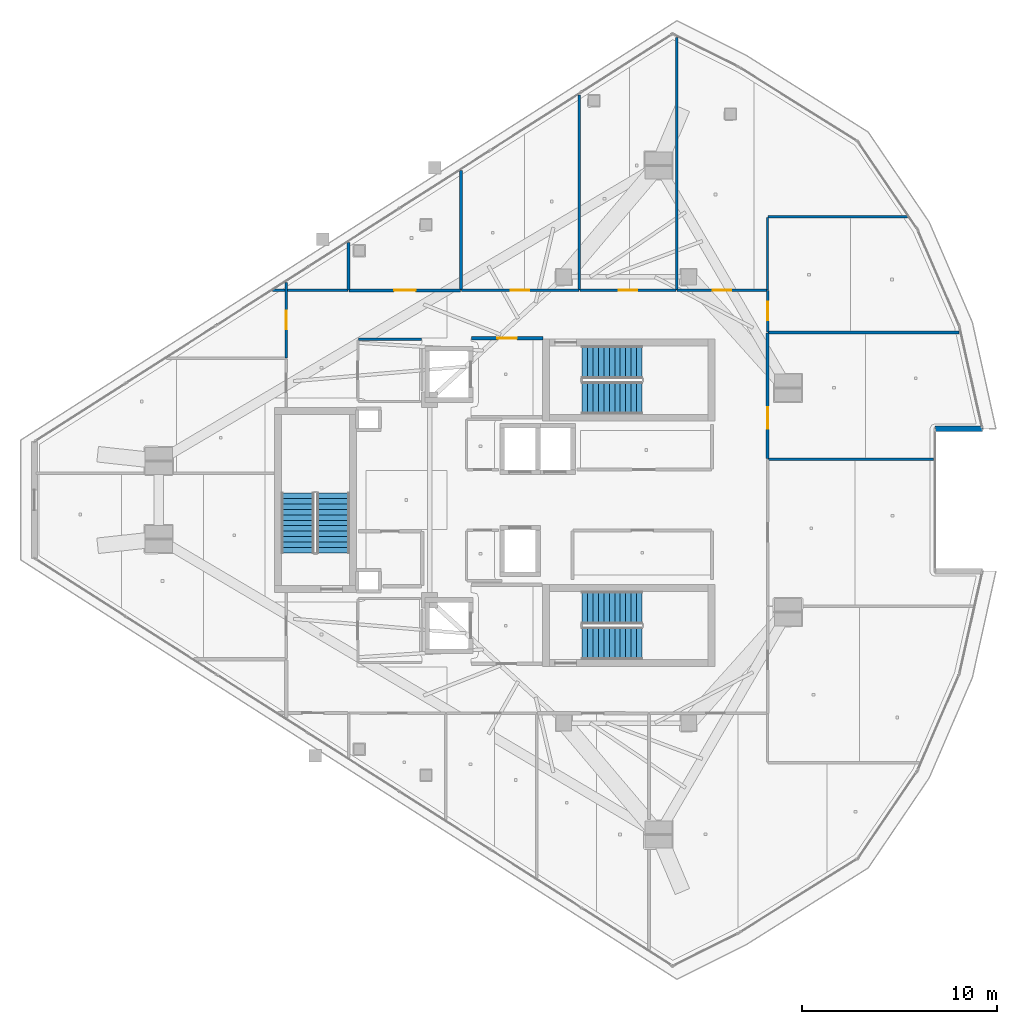
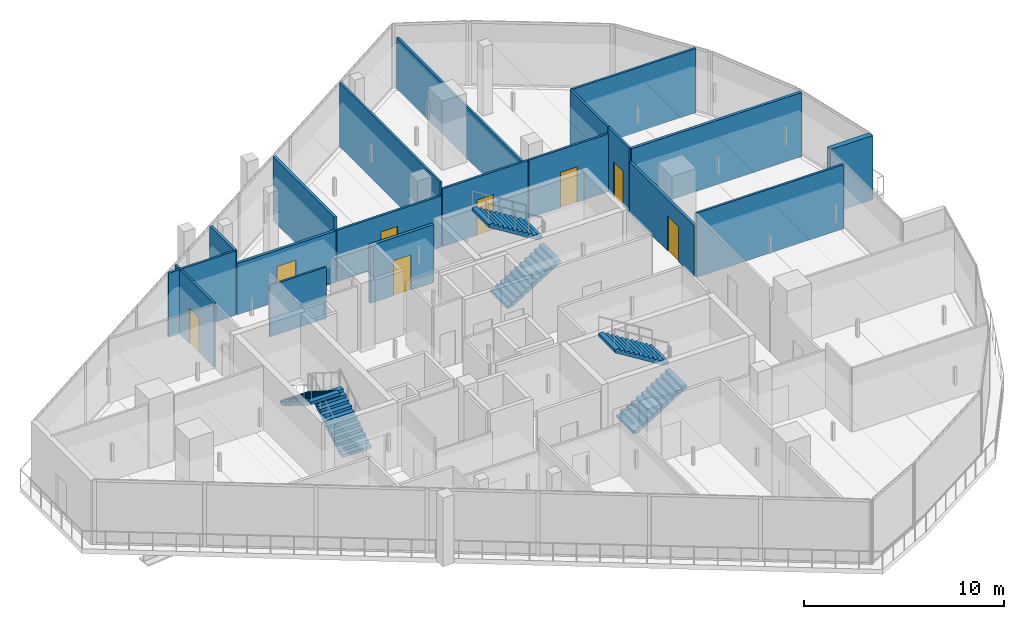
# One storey, part 22 of 29: 19 walls, 8 doors, 6 stair flights, 8 openings, 3 elements without a shape of their own.
"""IFC4 building model written with IfcOpenShell, lengths in metres."""

import ifcopenshell
import ifcopenshell.guid

model = None  # the IFC model being written
_history = None  # IfcOwnerHistory: only IFC2X3 demands one
_inside = {}  # id of a spatial element -> (the spatial element, [elements in it])
_under = {}  # id of a project, library or spatial element -> (it, [spatial elements below it])
_declared = {}  # id of a project -> (the project, [libraries it declares])
_typed = {}  # id of a type object -> (the type object, [elements of that type])
_made_of = {}  # id of a material, layer set ... -> (it, [elements and type objects made of it])


def new_model(schema):
    """Start an empty IFC model of exactly this schema.

    Asked for "IFC4X3", IfcOpenShell would pick the latest addendum, in which some entities
    have other attributes; the version numbers below select the first issue.
    IFC2X3 requires an IfcOwnerHistory on every rooted entity: one is made here for all.
    """
    global model, _history
    if schema == "IFC4X3":
        model = ifcopenshell.file(schema_version=(4, 3, 0, 0))
    else:
        model = ifcopenshell.file(schema=schema)
    _inside.clear()
    _under.clear()
    _declared.clear()
    _typed.clear()
    _made_of.clear()
    _history = None
    if model.schema == "IFC2X3":
        org = make("IfcOrganization", Name="unknown")
        user = make(
            "IfcPersonAndOrganization",
            ThePerson=make("IfcPerson", FamilyName="unknown"),
            TheOrganization=org,
        )
        app = make(
            "IfcApplication",
            ApplicationDeveloper=org,
            Version="unknown",
            ApplicationFullName="unknown",
            ApplicationIdentifier="unknown",
        )
        _history = make(
            "IfcOwnerHistory",
            OwningUser=user,
            OwningApplication=app,
            ChangeAction="ADDED",
            CreationDate=0,
        )
    return model


def make(cls, **values):
    """One entity of the class cls with the attributes given. An attribute that is None is left unset."""
    return model.create_entity(
        cls, **{name: value for name, value in values.items() if value is not None}
    )


def rooted(cls, **values):
    """An entity with a GlobalId (a new one), such as an element, a storey or a relation."""
    return make(cls, GlobalId=ifcopenshell.guid.new(), OwnerHistory=_history, **values)


def si_unit(unit_type, name, prefix=None):
    """IfcSIUnit, for example si_unit("LENGTHUNIT", "METRE", prefix="MILLI")."""
    return make("IfcSIUnit", UnitType=unit_type, Prefix=prefix, Name=name)


def assignment(units):
    """IfcUnitAssignment: the units of a project."""
    return None if units is None else make("IfcUnitAssignment", Units=units)


def point(xyz):
    """IfcCartesianPoint."""
    return None if xyz is None else make("IfcCartesianPoint", Coordinates=xyz)


def direction(xyz):
    """IfcDirection."""
    return None if xyz is None else make("IfcDirection", DirectionRatios=xyz)


def frame(location, z_axis=None, x_axis=None):
    """IfcAxis2Placement3D, a coordinate frame: its origin and axes. An axis left out is left unset."""
    return make(
        "IfcAxis2Placement3D",
        Location=point(location),
        Axis=direction(z_axis),
        RefDirection=direction(x_axis),
    )


def frame_2d(location, x_axis=None):
    """IfcAxis2Placement2D, a coordinate frame in the plane: its origin and x axis."""
    return make(
        "IfcAxis2Placement2D", Location=point(location), RefDirection=direction(x_axis)
    )


def origin():
    """The frame at (0, 0, 0) with its axes left unset."""
    return frame((0.0, 0.0, 0.0))


def place(relative_to, where):
    """IfcLocalPlacement: puts the frame where relative to a parent placement (None: the world)."""
    return make(
        "IfcLocalPlacement", PlacementRelTo=relative_to, RelativePlacement=where
    )


def context(
    kind, dimensions, precision=None, world=None, true_north=None, identifier=None
):
    """IfcGeometricRepresentationContext, for example the 3D "Model" context."""
    return make(
        "IfcGeometricRepresentationContext",
        ContextIdentifier=identifier,
        ContextType=kind,
        CoordinateSpaceDimension=dimensions,
        Precision=precision,
        WorldCoordinateSystem=world,
        TrueNorth=true_north,
    )


def subcontext(parent, identifier, kind, view, scale=None):
    """IfcGeometricRepresentationSubContext, for example "Body" below "Model"."""
    return make(
        "IfcGeometricRepresentationSubContext",
        ContextIdentifier=identifier,
        ContextType=kind,
        ParentContext=parent,
        TargetScale=scale,
        TargetView=view,
    )


def project(units=None, contexts=None):
    """IfcProject with its units and contexts."""
    return rooted(
        "IfcProject",
        Name="project",
        RepresentationContexts=contexts,
        UnitsInContext=assignment(units),
    )


def spatial(cls, under=None, at=None, **own):
    """A site, building, storey or space (cls), placed at a placement, below another one or the project."""
    s = rooted(cls, ObjectPlacement=at, **own)
    if under is not None:
        _under.setdefault(under.id(), (under, []))[1].append(s)
    return s


def polyline(points):
    """IfcPolyline through the points."""
    return make("IfcPolyline", Points=[point(p) for p in points])


def profile(cls, at=None, kind="AREA", **sizes):
    """A parametric profile (cls). Its sizes go by their IFC names, for example OverallWidth=200.0."""
    return make(cls, ProfileType=kind, Position=at, **sizes)


def rectangle(**sizes):
    """IfcRectangleProfileDef."""
    return profile("IfcRectangleProfileDef", **sizes)


def outline(outer, holes=None, kind="AREA"):
    """IfcArbitraryClosedProfileDef: a profile drawn as a closed curve; with holes, ...WithVoids."""
    if holes is None:
        return make("IfcArbitraryClosedProfileDef", ProfileType=kind, OuterCurve=outer)
    return make(
        "IfcArbitraryProfileDefWithVoids",
        ProfileType=kind,
        OuterCurve=outer,
        InnerCurves=holes,
    )


def extrude(swept, where, along, depth):
    """IfcExtrudedAreaSolid: the profile swept, set in the frame where, extruded along a direction by depth."""
    return make(
        "IfcExtrudedAreaSolid",
        SweptArea=swept,
        Position=where,
        ExtrudedDirection=direction(along),
        Depth=depth,
    )


def shape(context_of_items, identifier, shape_type, items):
    """IfcShapeRepresentation: the items that make up one representation, for example the "Body"."""
    return make(
        "IfcShapeRepresentation",
        ContextOfItems=context_of_items,
        RepresentationIdentifier=identifier,
        RepresentationType=shape_type,
        Items=items,
    )


def material(Name=None, Category=None):
    """IfcMaterial."""
    return make("IfcMaterial", Name=Name, Category=Category)


def layer(
    of_material, thickness, ventilated=None, Name=None, Category=None, Priority=None
):
    """IfcMaterialLayer: one layer of a wall or slab, of a material (None: an air gap)."""
    return make(
        "IfcMaterialLayer",
        Material=of_material,
        LayerThickness=thickness,
        IsVentilated=ventilated,
        Name=Name,
        Category=Category,
        Priority=Priority,
    )


def layer_set(layers, Name=None):
    """IfcMaterialLayerSet."""
    return make("IfcMaterialLayerSet", MaterialLayers=layers, LayerSetName=Name)


def made_of(thing, what):
    """Note that an element or type object is made of a material, layer set ...; save() writes the relation."""
    if what is not None:
        _made_of.setdefault(what.id(), (what, []))[1].append(thing)
    return thing


def type_object(cls, material=None, **own):
    """A type object (cls), such as IfcWallType, which elements share."""
    return made_of(rooted(cls, **own), material)


def element(
    cls,
    number,
    at=None,
    inside=None,
    cuts=None,
    type_object=None,
    material=None,
    context=None,
    identifier="Body",
    shape_type=None,
    held_by="IfcProductDefinitionShape",
    body=None,
    shapes=None,
    **own,
):
    """One element of the class cls, such as IfcWall. Its Tag is "e" and its number.

    at: its placement. inside: the storey or other place that contains it. cuts: it is an
    opening in that element (IfcRelVoidsElement). A single representation is given by context,
    identifier, shape_type and body (its items); several are given by shapes. held_by: the class
    of the entity that holds the representations. save() writes the other relations.
    """
    e = rooted(cls, Tag="e%d" % number, ObjectPlacement=at, **own)
    if body is not None:
        shapes = [shape(context, identifier, shape_type, body)]
    if shapes is not None:
        e.Representation = make(held_by, Representations=shapes)
    if inside is not None:
        _inside.setdefault(inside.id(), (inside, []))[1].append(e)
    if cuts is not None:
        rooted(
            "IfcRelVoidsElement", RelatingBuildingElement=cuts, RelatedOpeningElement=e
        )
    if type_object is not None:
        _typed.setdefault(type_object.id(), (type_object, []))[1].append(e)
    return made_of(e, material)


def fill(opening, filler):
    """IfcRelFillsElement: the door or window that sits in an opening."""
    return rooted(
        "IfcRelFillsElement",
        RelatingOpeningElement=opening,
        RelatedBuildingElement=filler,
    )


def aggregate(whole, parts):
    """IfcRelAggregates: a whole, such as a stair, and the parts it consists of."""
    return rooted("IfcRelAggregates", RelatingObject=whole, RelatedObjects=parts)


def save(model, path):
    """Write the relations noted so far, then the file.

    IfcRelAggregates (storeys below a building ...), IfcRelContainedInSpatialStructure (elements
    in a storey), IfcRelDefinesByType, IfcRelAssociatesMaterial and IfcRelDeclares: one each for
    every whole, place, type object, material and project.
    """
    for whole, parts in _under.values():
        aggregate(whole, parts)
    for where, things in _inside.values():
        rooted(
            "IfcRelContainedInSpatialStructure",
            RelatedElements=things,
            RelatingStructure=where,
        )
    for kind, things in _typed.values():
        rooted("IfcRelDefinesByType", RelatedObjects=things, RelatingType=kind)
    for what, things in _made_of.values():
        rooted("IfcRelAssociatesMaterial", RelatedObjects=things, RelatingMaterial=what)
    for by, libraries in _declared.values():
        rooted("IfcRelDeclares", RelatingContext=by, RelatedDefinitions=libraries)
    model.write(path)


model = new_model("IFC4")

# Units and contexts
model_context = context("Model", 3, precision=1e-05, world=origin(), true_north=direction((0.0, 1.0)))
body_context = subcontext(model_context, "Body", "Model", "MODEL_VIEW")
ifc_project = project(units=[si_unit("LENGTHUNIT", "METRE"), si_unit("AREAUNIT", "SQUARE_METRE"), si_unit("VOLUMEUNIT", "CUBIC_METRE"), si_unit("PLANEANGLEUNIT", "RADIAN"), si_unit("MASSUNIT", "GRAM", prefix="KILO")], contexts=[model_context])

# Site, building, storey
site_placement = place(None, origin())
site = spatial("IfcSite", under=ifc_project, at=site_placement, CompositionType="ELEMENT")
building_placement = place(site_placement, origin())
building = spatial("IfcBuilding", under=site, at=building_placement, Name="Qorvath Tower", CompositionType="ELEMENT")
storey_placement = place(building_placement, frame((0.0, 0.0, 285.0)))
storey = spatial("IfcBuildingStorey", under=building, at=storey_placement, Name="L66", CompositionType="ELEMENT", Elevation=285.0)

# Wall, opening, door
ifc_material_1 = material(Name="Gypsum shaftliner on steel studs", Category="steel")
ifc_layer_1 = layer(ifc_material_1, 0.179931640625)
ifc_layer_set_1 = layer_set([ifc_layer_1], Name="FW-LOBBY")
wall_type_1 = type_object("IfcWallType", Name="FW-LOBBY", PredefinedType="PARTITIONING", material=ifc_layer_set_1)
wall_1_placement = place(storey_placement, frame((-24.68408203125, 8.300048828125, 0.0), z_axis=(0.0, 0.0, 1.0), x_axis=(-1.0, 0.0, 0.0)))
wall_1 = element("IfcWall", 1, at=wall_1_placement, inside=storey, type_object=wall_type_1, Name="Interior Partition IW-T1-L66-002", PredefinedType="PARTITIONING", context=body_context, shape_type="SweptSolid", body=[
    extrude(rectangle(XDim=3.6708984375, YDim=0.179931640625, at=frame_2d((1.83544921875, 0.0))), origin(), (0.0, 0.0, 1.0), 3.52880859375),
])
opening_1_placement = place(wall_1_placement, frame((1.33544921875, 0.0, 0.0)))
opening_1 = element("IfcOpeningElement", 2, at=opening_1_placement, cuts=wall_1, Name="Opening D-T1-L66-24", PredefinedType="OPENING", context=body_context, shape_type="SweptSolid", body=[
    extrude(rectangle(XDim=1.0, YDim=2.14990234375, at=frame_2d((0.5, 1.074951171875))), frame((0.0, 0.10009765625, 0.0), z_axis=(0.0, -1.0, 0.0), x_axis=(1.0, 0.0, 0.0)), (0.0, 0.0, 1.0), 0.199951171875),
])
ifc_material_2 = material(Name="Painted galvanised hollow metal", Category="steel")
door_type_1 = type_object("IfcDoorType", Name="FD-60", OperationType="NOTDEFINED", PredefinedType="DOOR", material=ifc_material_2)
door_1_placement = place(opening_1_placement, origin())
door_1 = element("IfcDoor", 3, at=door_1_placement, inside=storey, type_object=door_type_1, Name="Lobby Fire Service Elevator North Door D-T1-L66-24", OperationType="SINGLE_SWING_LEFT", OverallHeight=2.14990234375, OverallWidth=1.0, PredefinedType="DOOR", context=body_context, shape_type="SweptSolid", body=[
    extrude(rectangle(XDim=1.0, YDim=2.14990234375, at=frame_2d((0.5, 1.074951171875))), frame((0.0, 0.02490234375, 0.0), z_axis=(0.0, -1.0, 0.0), x_axis=(1.0, 0.0, 0.0)), (0.0, 0.0, 1.0), 0.050048828125),
])
fill(opening_1, door_1)

ifc_material_3 = material(Name="Double acoustic gypsum board on steel studs", Category="steel")
ifc_layer_2 = layer(ifc_material_3, 0.159912109375)
ifc_layer_set_2 = layer_set([ifc_layer_2], Name="IW-ACOUSTIC-160")
wall_type_2 = type_object("IfcWallType", Name="IW-ACOUSTIC-160", PredefinedType="PARTITIONING", material=ifc_layer_set_2)
wall_2_placement = place(storey_placement, frame((-34.625, 10.758056640625, 0.0), z_axis=(0.0, 0.0, 1.0), x_axis=(1.0, 0.0, 0.0)))
wall_2 = element("IfcWall", 4, at=wall_2_placement, inside=storey, type_object=wall_type_2, Name="Interior Partition IW-T1-L66-027", PredefinedType="PARTITIONING", context=body_context, shape_type="SweptSolid", body=[
    extrude(rectangle(XDim=5.711669921875, YDim=0.159912109375, at=frame_2d((2.85595703125, 0.0))), origin(), (0.0, 0.0, 1.0), 3.1298828125),
])
opening_2_placement = place(wall_2_placement, frame((2.305908203125, 0.0, 0.0)))
opening_2 = element("IfcOpeningElement", 5, at=opening_2_placement, cuts=wall_2, Name="Opening D-T1-L66-08", PredefinedType="OPENING", context=body_context, shape_type="SweptSolid", body=[
    extrude(rectangle(XDim=1.10009765625, YDim=2.14990234375, at=frame_2d((0.550048828125, 1.074951171875))), frame((0.0, 0.08984375, 0.0), z_axis=(0.0, -1.0, 0.0), x_axis=(1.0, 0.0, 0.0)), (0.0, 0.0, 1.0), 0.179931640625),
])
ifc_material_4 = material(Name="Anodised aluminium acoustic framed glass", Category="aluminium")
door_type_2 = type_object("IfcDoorType", Name="D-03", OperationType="NOTDEFINED", PredefinedType="DOOR", material=ifc_material_4)
door_2_placement = place(opening_2_placement, origin())
door_2 = element("IfcDoor", 6, at=door_2_placement, inside=storey, type_object=door_type_2, Name="L66-01 Client Services Office Door D-T1-L66-08", OperationType="SINGLE_SWING_LEFT", OverallHeight=2.14990234375, OverallWidth=1.10009765625, PredefinedType="DOOR", context=body_context, shape_type="SweptSolid", body=[
    extrude(rectangle(XDim=1.10009765625, YDim=2.14990234375, at=frame_2d((0.550048828125, 1.074951171875))), frame((0.0, 0.02490234375, 0.0), z_axis=(0.0, -1.0, 0.0), x_axis=(1.0, 0.0, 0.0)), (0.0, 0.0, 1.0), 0.050048828125),
])
fill(opening_2, door_2)

# Walls
wall_3_placement = place(storey_placement, frame((-28.888427734375, 10.783203125, 0.0), z_axis=(0.0, 0.0, 1.0), x_axis=(0.0, 1.0, 0.0)))
element("IfcWall", 7, at=wall_3_placement, inside=storey, type_object=wall_type_2, Name="Interior Partition IW-T1-L66-028", PredefinedType="PARTITIONING", context=body_context, shape_type="SweptSolid", body=[
    extrude(rectangle(XDim=6.12158203125, YDim=0.159912109375, at=frame_2d((3.060791015625, 0.0))), origin(), (0.0, 0.0, 1.0), 3.909912109375),
])
wall_4_placement = place(storey_placement, frame((-34.64990234375, 13.222412109375, 0.0), z_axis=(0.0, 0.0, 1.0), x_axis=(0.0, -1.0, 0.0)))
element("IfcWall", 8, at=wall_4_placement, inside=storey, type_object=wall_type_2, Name="Interior Partition IW-T1-L66-029", PredefinedType="PARTITIONING", context=body_context, shape_type="SweptSolid", body=[
    extrude(rectangle(XDim=2.439208984375, YDim=0.159912109375, at=frame_2d((1.2197265625, 0.0))), origin(), (0.0, 0.0, 1.0), 3.909912109375),
])
wall_5_placement = place(storey_placement, frame((-3.305419921875, 8.6005859375, 0.0), z_axis=(0.0, 0.0, 1.0), x_axis=(-1.0, 0.0, 0.0)))
element("IfcWall", 9, at=wall_5_placement, inside=storey, type_object=wall_type_2, Name="Interior Partition IW-T1-L66-052", PredefinedType="PARTITIONING", context=body_context, shape_type="SweptSolid", body=[
    extrude(rectangle(XDim=9.811767578125, YDim=0.159912109375, at=frame_2d((4.90576171875, 0.0))), origin(), (0.0, 0.0, 1.0), 3.909912109375),
])

# Wall, opening, door
wall_6_placement = place(storey_placement, frame((-13.14208984375, 8.57568359375, 0.0), z_axis=(0.0, 0.0, 1.0), x_axis=(0.0, -1.0, 0.0)))
wall_6 = element("IfcWall", 10, at=wall_6_placement, inside=storey, type_object=wall_type_2, Name="Interior Partition IW-T1-L66-053", PredefinedType="PARTITIONING", context=body_context, shape_type="SweptSolid", body=[
    extrude(rectangle(XDim=6.442138671875, YDim=0.159912109375, at=frame_2d((3.22119140625, 0.0))), origin(), (0.0, 0.0, 1.0), 3.1298828125),
])
opening_3_placement = place(wall_6_placement, frame((3.81591796875, 0.0, 0.0)))
opening_3 = element("IfcOpeningElement", 11, at=opening_3_placement, cuts=wall_6, Name="Opening D-T1-L66-18", PredefinedType="OPENING", context=body_context, shape_type="SweptSolid", body=[
    extrude(rectangle(XDim=1.10009765625, YDim=2.14990234375, at=frame_2d((0.550048828125, 1.074951171875))), frame((0.0, 0.08984375, 0.0), z_axis=(0.0, -1.0, 0.0), x_axis=(1.0, 0.0, 0.0)), (0.0, 0.0, 1.0), 0.179931640625),
])
door_3_placement = place(opening_3_placement, origin())
door_3 = element("IfcDoor", 12, at=door_3_placement, inside=storey, type_object=door_type_2, Name="L66-11 Enclosed Conference Suite Door D-T1-L66-18", OperationType="SINGLE_SWING_LEFT", OverallHeight=2.14990234375, OverallWidth=1.10009765625, PredefinedType="DOOR", context=body_context, shape_type="SweptSolid", body=[
    extrude(rectangle(XDim=1.10009765625, YDim=2.14990234375, at=frame_2d((0.550048828125, 1.074951171875))), frame((0.0, 0.02490234375, 0.0), z_axis=(0.0, -1.0, 0.0), x_axis=(1.0, 0.0, 0.0)), (0.0, 0.0, 1.0), 0.050048828125),
])
fill(opening_3, door_3)

ifc_material_5 = material(Name="Gypsum board on metal studs with mineral wool", Category="gypsum")
ifc_layer_3 = layer(ifc_material_5, 0.125)
ifc_layer_set_3 = layer_set([ifc_layer_3], Name="IW-PART-125")
wall_type_3 = type_object("IfcWallType", Name="IW-PART-125", PredefinedType="PARTITIONING", material=ifc_layer_set_3)
wall_7_placement = place(storey_placement, frame((-28.85546875, 10.758056640625, 0.0), z_axis=(0.0, 0.0, 1.0), x_axis=(1.0, 0.0, 0.0)))
wall_7 = element("IfcWall", 13, at=wall_7_placement, inside=storey, type_object=wall_type_3, Name="Interior Partition IW-T1-L66-030", PredefinedType="PARTITIONING", context=body_context, shape_type="SweptSolid", body=[
    extrude(rectangle(XDim=6.024658203125, YDim=0.125, at=frame_2d((3.01220703125, 0.0))), origin(), (0.0, 0.0, 1.0), 3.1298828125),
])
opening_4_placement = place(wall_7_placement, frame((2.537353515625, 0.0, 0.0)))
opening_4 = element("IfcOpeningElement", 14, at=opening_4_placement, cuts=wall_7, Name="Opening D-T1-L66-09", PredefinedType="OPENING", context=body_context, shape_type="SweptSolid", body=[
    extrude(rectangle(XDim=0.949951171875, YDim=2.14990234375, at=frame_2d((0.47509765625, 1.074951171875))), frame((0.0, 0.072509765625, 0.0), z_axis=(0.0, -1.0, 0.0), x_axis=(1.0, 0.0, 0.0)), (0.0, 0.0, 1.0), 0.14501953125),
])
ifc_material_6 = material(Name="Solid-core American white oak veneer", Category="wood")
door_type_3 = type_object("IfcDoorType", Name="D-01", OperationType="NOTDEFINED", PredefinedType="DOOR", material=ifc_material_6)
door_4_placement = place(opening_4_placement, origin())
door_4 = element("IfcDoor", 15, at=door_4_placement, inside=storey, type_object=door_type_3, Name="L66-02 Project Collaboration Workspace Door D-T1-L66-09", OperationType="SINGLE_SWING_RIGHT", OverallHeight=2.14990234375, OverallWidth=0.949951171875, PredefinedType="DOOR", context=body_context, shape_type="SweptSolid", body=[
    extrude(rectangle(XDim=0.949951171875, YDim=2.14990234375, at=frame_2d((0.47509765625, 1.074951171875))), frame((0.0, 0.02490234375, 0.0), z_axis=(0.0, -1.0, 0.0), x_axis=(1.0, 0.0, 0.0)), (0.0, 0.0, 1.0), 0.050048828125),
])
fill(opening_4, door_4)

# Wall
wall_8_placement = place(storey_placement, frame((-22.805908203125, 10.783203125, 0.0), z_axis=(0.0, 0.0, 1.0), x_axis=(0.0, 1.0, 0.0)))
element("IfcWall", 16, at=wall_8_placement, inside=storey, type_object=wall_type_3, Name="Interior Partition IW-T1-L66-031", PredefinedType="PARTITIONING", context=body_context, shape_type="SweptSolid", body=[
    extrude(rectangle(XDim=10.009033203125, YDim=0.125, at=frame_2d((5.00439453125, 0.0))), origin(), (0.0, 0.0, 1.0), 3.909912109375),
])

# Wall, opening, door
wall_9_placement = place(storey_placement, frame((-22.77294921875, 10.758056640625, 0.0), z_axis=(0.0, 0.0, 1.0), x_axis=(1.0, 0.0, 0.0)))
wall_9 = element("IfcWall", 17, at=wall_9_placement, inside=storey, type_object=wall_type_3, Name="Interior Partition IW-T1-L66-032", PredefinedType="PARTITIONING", context=body_context, shape_type="SweptSolid", body=[
    extrude(rectangle(XDim=4.9306640625, YDim=0.125, at=frame_2d((2.46533203125, 0.0))), origin(), (0.0, 0.0, 1.0), 3.52880859375),
])
opening_5_placement = place(wall_9_placement, frame((1.990234375, 0.0, 0.0)))
opening_5 = element("IfcOpeningElement", 18, at=opening_5_placement, cuts=wall_9, Name="Opening D-T1-L66-10", PredefinedType="OPENING", context=body_context, shape_type="SweptSolid", body=[
    extrude(rectangle(XDim=0.949951171875, YDim=2.14990234375, at=frame_2d((0.47509765625, 1.074951171875))), frame((0.0, 0.072509765625, 0.0), z_axis=(0.0, -1.0, 0.0), x_axis=(1.0, 0.0, 0.0)), (0.0, 0.0, 1.0), 0.14501953125),
])
door_5_placement = place(opening_5_placement, origin())
door_5 = element("IfcDoor", 19, at=door_5_placement, inside=storey, type_object=door_type_3, Name="L66-03 Staff Wellness Studio Door D-T1-L66-10", OperationType="SINGLE_SWING_LEFT", OverallHeight=2.14990234375, OverallWidth=0.949951171875, PredefinedType="DOOR", context=body_context, shape_type="SweptSolid", body=[
    extrude(rectangle(XDim=0.949951171875, YDim=2.14990234375, at=frame_2d((0.47509765625, 1.074951171875))), frame((0.0, 0.02490234375, 0.0), z_axis=(0.0, -1.0, 0.0), x_axis=(1.0, 0.0, 0.0)), (0.0, 0.0, 1.0), 0.050048828125),
])
fill(opening_5, door_5)

# Wall
wall_10_placement = place(storey_placement, frame((-17.8173828125, 10.783203125, 0.0), z_axis=(0.0, 0.0, 1.0), x_axis=(0.0, 1.0, 0.0)))
element("IfcWall", 20, at=wall_10_placement, inside=storey, type_object=wall_type_3, Name="Interior Partition IW-T1-L66-033", PredefinedType="PARTITIONING", context=body_context, shape_type="SweptSolid", body=[
    extrude(rectangle(XDim=12.96240234375, YDim=0.125, at=frame_2d((6.481201171875, 0.0))), origin(), (0.0, 0.0, 1.0), 3.1298828125),
])

# Wall, opening, door
wall_11_placement = place(storey_placement, frame((-17.78466796875, 10.758056640625, 0.0), z_axis=(0.0, 0.0, 1.0), x_axis=(1.0, 0.0, 0.0)))
wall_11 = element("IfcWall", 21, at=wall_11_placement, inside=storey, type_object=wall_type_3, Name="Interior Partition IW-T1-L66-034", PredefinedType="PARTITIONING", context=body_context, shape_type="SweptSolid", body=[
    extrude(rectangle(XDim=4.60986328125, YDim=0.125, at=frame_2d((2.304931640625, 0.0))), origin(), (0.0, 0.0, 1.0), 3.52880859375),
])
opening_6_placement = place(wall_11_placement, frame((1.829833984375, 0.0, 0.0)))
opening_6 = element("IfcOpeningElement", 22, at=opening_6_placement, cuts=wall_11, Name="Opening D-T1-L66-11", PredefinedType="OPENING", context=body_context, shape_type="SweptSolid", body=[
    extrude(rectangle(XDim=0.949951171875, YDim=2.14990234375, at=frame_2d((0.47509765625, 1.074951171875))), frame((0.0, 0.072509765625, 0.0), z_axis=(0.0, -1.0, 0.0), x_axis=(1.0, 0.0, 0.0)), (0.0, 0.0, 1.0), 0.14501953125),
])
door_6_placement = place(opening_6_placement, origin())
door_6 = element("IfcDoor", 23, at=door_6_placement, inside=storey, type_object=door_type_3, Name="L66-04 Design Pin-Up Atelier Door D-T1-L66-11", OperationType="SINGLE_SWING_RIGHT", OverallHeight=2.14990234375, OverallWidth=0.949951171875, PredefinedType="DOOR", context=body_context, shape_type="SweptSolid", body=[
    extrude(rectangle(XDim=0.949951171875, YDim=2.14990234375, at=frame_2d((0.47509765625, 1.074951171875))), frame((0.0, 0.02490234375, 0.0), z_axis=(0.0, -1.0, 0.0), x_axis=(1.0, 0.0, 0.0)), (0.0, 0.0, 1.0), 0.050048828125),
])
fill(opening_6, door_6)

# Walls
wall_12_placement = place(storey_placement, frame((-13.14990234375, 10.783203125, 0.0), z_axis=(0.0, 0.0, 1.0), x_axis=(0.0, 1.0, 0.0)))
element("IfcWall", 24, at=wall_12_placement, inside=storey, type_object=wall_type_3, Name="Interior Partition IW-T1-L66-035", PredefinedType="PARTITIONING", context=body_context, shape_type="SweptSolid", body=[
    extrude(rectangle(XDim=3.72607421875, YDim=0.125, at=frame_2d((1.863037109375, 0.0))), origin(), (0.0, 0.0, 1.0), 3.909912109375),
])
wall_13_placement = place(storey_placement, frame((-13.125, 14.5341796875, 0.0), z_axis=(0.0, 0.0, 1.0), x_axis=(0.999999160366, 0.001295865779, 0.0)))
element("IfcWall", 25, at=wall_13_placement, inside=storey, type_object=wall_type_3, Name="Interior Partition IW-T1-L66-036", PredefinedType="PARTITIONING", context=body_context, shape_type="SweptSolid", body=[
    extrude(rectangle(XDim=7.1591796875, YDim=0.125, at=frame_2d((3.57958984375, 0.0))), origin(), (0.0, 0.0, 1.0), 3.909912109375),
])
wall_14_placement = place(storey_placement, frame((-4.6318359375, 2.1005859375, 0.0), z_axis=(0.0, 0.0, 1.0), x_axis=(-1.0, 0.0, 0.0)))
element("IfcWall", 26, at=wall_14_placement, inside=storey, type_object=wall_type_3, Name="Interior Partition IW-T1-L66-050", PredefinedType="PARTITIONING", context=body_context, shape_type="SweptSolid", body=[
    extrude(rectangle(XDim=8.4853515625, YDim=0.125, at=frame_2d((4.24267578125, 0.0))), origin(), (0.0, 0.0, 1.0), 3.909912109375),
])

# Wall, opening, door
wall_15_placement = place(storey_placement, frame((-13.14208984375, 10.75830078125, 0.0), z_axis=(0.0, 0.0, 1.0), x_axis=(0.0, -1.0, 0.0)))
wall_15 = element("IfcWall", 27, at=wall_15_placement, inside=storey, type_object=wall_type_3, Name="Interior Partition IW-T1-L66-054", PredefinedType="PARTITIONING", context=body_context, shape_type="SweptSolid", body=[
    extrude(rectangle(XDim=2.124755859375, YDim=0.125, at=frame_2d((1.0625, 0.0))), origin(), (0.0, 0.0, 1.0), 3.909912109375),
])
opening_7_placement = place(wall_15_placement, frame((0.58740234375, 0.0, 0.0)))
opening_7 = element("IfcOpeningElement", 28, at=opening_7_placement, cuts=wall_15, Name="Opening D-T1-L66-19", PredefinedType="OPENING", context=body_context, shape_type="SweptSolid", body=[
    extrude(rectangle(XDim=0.949951171875, YDim=2.14990234375, at=frame_2d((0.47509765625, 1.074951171875))), frame((0.0, 0.072509765625, 0.0), z_axis=(0.0, -1.0, 0.0), x_axis=(1.0, 0.0, 0.0)), (0.0, 0.0, 1.0), 0.14501953125),
])
door_7_placement = place(opening_7_placement, origin())
door_7 = element("IfcDoor", 29, at=door_7_placement, inside=storey, type_object=door_type_3, Name="L66-12 Focus Collaboration Pod Door D-T1-L66-19", OperationType="SINGLE_SWING_RIGHT", OverallHeight=2.14990234375, OverallWidth=0.949951171875, PredefinedType="DOOR", context=body_context, shape_type="SweptSolid", body=[
    extrude(rectangle(XDim=0.949951171875, YDim=2.14990234375, at=frame_2d((0.47509765625, 1.074951171875))), frame((0.0, 0.02490234375, 0.0), z_axis=(0.0, -1.0, 0.0), x_axis=(1.0, 0.0, 0.0)), (0.0, 0.0, 1.0), 0.050048828125),
])
fill(opening_7, door_7)

wall_16_placement = place(storey_placement, frame((-37.85791015625, 7.300537109375, 0.0), z_axis=(0.0, 0.0, 1.0), x_axis=(0.0, 1.0, 0.0)))
wall_16 = element("IfcWall", 30, at=wall_16_placement, inside=storey, type_object=wall_type_3, Name="Interior Partition IW-T1-L66-063", PredefinedType="PARTITIONING", context=body_context, shape_type="SweptSolid", body=[
    extrude(rectangle(XDim=3.87158203125, YDim=0.125, at=frame_2d((1.935791015625, 0.0))), origin(), (0.0, 0.0, 1.0), 3.909912109375),
])
opening_8_placement = place(wall_16_placement, frame((1.460693359375, 0.0, 0.0)))
opening_8 = element("IfcOpeningElement", 31, at=opening_8_placement, cuts=wall_16, Name="Opening D-T1-L66-23", PredefinedType="OPENING", context=body_context, shape_type="SweptSolid", body=[
    extrude(rectangle(XDim=0.949951171875, YDim=2.14990234375, at=frame_2d((0.47509765625, 1.074951171875))), frame((0.0, 0.072509765625, 0.0), z_axis=(0.0, -1.0, 0.0), x_axis=(1.0, 0.0, 0.0)), (0.0, 0.0, 1.0), 0.14501953125),
])
door_8_placement = place(opening_8_placement, origin())
door_8 = element("IfcDoor", 32, at=door_8_placement, inside=storey, type_object=door_type_3, Name="L66-16 Executive Partner Office Door D-T1-L66-23", OperationType="SINGLE_SWING_RIGHT", OverallHeight=2.14990234375, OverallWidth=0.949951171875, PredefinedType="DOOR", context=body_context, shape_type="SweptSolid", body=[
    extrude(rectangle(XDim=0.949951171875, YDim=2.14990234375, at=frame_2d((0.47509765625, 1.074951171875))), frame((0.0, 0.02490234375, 0.0), z_axis=(0.0, -1.0, 0.0), x_axis=(1.0, 0.0, 0.0)), (0.0, 0.0, 1.0), 0.050048828125),
])
fill(opening_8, door_8)

# Walls
wall_17_placement = place(storey_placement, frame((-34.68310546875, 10.758056640625, 0.0), z_axis=(0.0, 0.0, 1.0), x_axis=(-1.0, 0.0, 0.0)))
element("IfcWall", 33, at=wall_17_placement, inside=storey, type_object=wall_type_3, Name="Interior Partition IW-T1-L66-064", PredefinedType="PARTITIONING", context=body_context, shape_type="SweptSolid", body=[
    extrude(rectangle(XDim=3.86767578125, YDim=0.125, at=frame_2d((1.933837890625, 0.0))), origin(), (0.0, 0.0, 1.0), 3.909912109375),
])
ifc_material_7 = material(Name="Moisture-resistant cement board on metal studs", Category="gypsum")
ifc_layer_4 = layer(ifc_material_7, 0.110107421875)
ifc_layer_set_4 = layer_set([ifc_layer_4], Name="IW-WC-110")
wall_type_4 = type_object("IfcWallType", Name="IW-WC-110", PredefinedType="PARTITIONING", material=ifc_layer_set_4)
wall_18_placement = place(storey_placement, frame((-30.90478515625, 8.25, 0.0), z_axis=(0.0, 0.0, 1.0), x_axis=(-1.0, 0.0, 0.0)))
element("IfcWall", 34, at=wall_18_placement, inside=storey, type_object=wall_type_4, Name="Interior Partition IW-T1-L66-008", PredefinedType="PARTITIONING", context=body_context, shape_type="SweptSolid", body=[
    extrude(rectangle(XDim=3.25, YDim=0.110107421875, at=frame_2d((1.625, 0.0))), origin(), (0.0, 0.0, 1.0), 3.1298828125),
])
ifc_material_8 = material(Name="Precast concrete C45/55", Category="concrete")
ifc_layer_5 = layer(ifc_material_8, 0.300048828125)
ifc_layer_set_5 = layer_set([ifc_layer_5], Name="WL-EW-LOG-300")
wall_type_5 = type_object("IfcWallType", Name="WL-EW-LOG-300", PredefinedType="SOLIDWALL", material=ifc_layer_set_5)
wall_19_placement = place(storey_placement, frame((-4.552001953125, 3.65576171875, 0.0), z_axis=(0.0, 0.0, 1.0), x_axis=(1.0, 0.0, 0.0)))
element("IfcWall", 35, at=wall_19_placement, inside=storey, type_object=wall_type_5, Name="Tower Precast Loggia Wall L66-10.1", PredefinedType="SOLIDWALL", context=body_context, shape_type="SweptSolid", body=[
    extrude(rectangle(XDim=2.437255859375, YDim=0.300048828125, at=frame_2d((1.21875, 0.0))), origin(), (0.0, 0.0, 1.0), 3.909912109375),
])

# Stair, stair flights
ifc_material_9 = material(Name="Concrete C50/60", Category="concrete")
stair_type = type_object("IfcStairType", Name="ST-H420", PredefinedType="HALF_TURN_STAIR", material=ifc_material_9)
stair_1_placement = place(storey_placement, origin())
stair_1 = element("IfcStair", 36, at=stair_1_placement, inside=storey, type_object=stair_type, Name="L66 Tower Exit Stair 1", PredefinedType="HALF_TURN_STAIR")
ifc_material_10 = material(Name="Concrete C50/60", Category="concrete")
ifc_layer_6 = layer(ifc_material_10, 0.14990234375)
ifc_layer_set_6 = layer_set([ifc_layer_6], Name="SF-H420")
stair_flight_type = type_object("IfcStairFlightType", Name="SF-H420", PredefinedType="STRAIGHT", material=ifc_layer_set_6)
stair_flight_1_placement = place(storey_placement, frame((-22.669921875, 5.239990234375, 0.0), z_axis=(0.0, 0.0, 1.0), x_axis=(1.0, 0.0, 0.0)))
stair_flight_1 = element("IfcStairFlight", 37, at=stair_flight_1_placement, type_object=stair_flight_type, Name="TS1 flight 1", NumberOfRisers=12, NumberOfTreads=11, PredefinedType="STRAIGHT", RiserHeight=0.175, TreadLength=0.28, context=body_context, shape_type="SweptSolid", body=[
    extrude(outline(polyline([(0.0, 0.0), (0.0, 0.175048828125), (0.280029296875, 0.175048828125), (0.280029296875, 0.35009765625), (0.56005859375, 0.35009765625), (0.56005859375, 0.52490234375), (0.840087890625, 0.52490234375), (0.840087890625, 0.699951171875), (1.1201171875, 0.699951171875), (1.1201171875, 0.875), (1.39990234375, 0.875), (1.39990234375, 1.050048828125), (1.679931640625, 1.050048828125), (1.679931640625, 1.22509765625), (1.9599609375, 1.22509765625), (1.9599609375, 1.39990234375), (2.239990234375, 1.39990234375), (2.239990234375, 1.574951171875), (2.52001953125, 1.574951171875), (2.52001953125, 1.75), (2.800048828125, 1.75), (2.800048828125, 1.925048828125), (3.080078125, 1.925048828125), (3.080078125, 2.10009765625), (3.080078125, 1.748291015625), (0.28271484375, 0.0), (0.0, 0.0)])), frame((0.0, 0.83984375, 0.0), z_axis=(0.0, -1.0, 0.0), x_axis=(1.0, 0.0, 0.0)), (0.0, 0.0, 1.0), 1.679931640625),
])
stair_flight_2_placement = place(storey_placement, frame((-19.590087890625, 7.070068359375, 2.10009765625), z_axis=(0.0, 0.0, 1.0), x_axis=(-1.0, 0.0, 0.0)))
stair_flight_2 = element("IfcStairFlight", 38, at=stair_flight_2_placement, type_object=stair_flight_type, Name="TS1 flight 2", NumberOfRisers=12, NumberOfTreads=11, PredefinedType="STRAIGHT", RiserHeight=0.175, TreadLength=0.28, context=body_context, shape_type="SweptSolid", body=[
    extrude(outline(polyline([(0.0, 0.0), (0.0, 0.175048828125), (0.280029296875, 0.175048828125), (0.280029296875, 0.35009765625), (0.56005859375, 0.35009765625), (0.56005859375, 0.52490234375), (0.840087890625, 0.52490234375), (0.840087890625, 0.699951171875), (1.1201171875, 0.699951171875), (1.1201171875, 0.875), (1.39990234375, 0.875), (1.39990234375, 1.050048828125), (1.679931640625, 1.050048828125), (1.679931640625, 1.22509765625), (1.9599609375, 1.22509765625), (1.9599609375, 1.39990234375), (2.239990234375, 1.39990234375), (2.239990234375, 1.574951171875), (2.52001953125, 1.574951171875), (2.52001953125, 1.75), (2.800048828125, 1.75), (2.800048828125, 1.925048828125), (3.080078125, 1.925048828125), (3.080078125, 2.10009765625), (3.080078125, 1.748291015625), (0.28271484375, 0.0), (0.0, 0.0)])), frame((0.0, 0.83984375, 0.0), z_axis=(0.0, -1.0, 0.0), x_axis=(1.0, 0.0, 0.0)), (0.0, 0.0, 1.0), 1.679931640625),
])
aggregate(stair_1, [stair_flight_1, stair_flight_2])

stair_2_placement = place(storey_placement, origin())
stair_2 = element("IfcStair", 39, at=stair_2_placement, inside=storey, type_object=stair_type, Name="L66 Tower Exit Stair 2", PredefinedType="HALF_TURN_STAIR")
stair_flight_3_placement = place(storey_placement, frame((-22.669921875, -7.360107421875, 0.0), z_axis=(0.0, 0.0, 1.0), x_axis=(1.0, 0.0, 0.0)))
stair_flight_3 = element("IfcStairFlight", 40, at=stair_flight_3_placement, type_object=stair_flight_type, Name="TS2 flight 1", NumberOfRisers=12, NumberOfTreads=11, PredefinedType="STRAIGHT", RiserHeight=0.175, TreadLength=0.28, context=body_context, shape_type="SweptSolid", body=[
    extrude(outline(polyline([(0.0, 0.0), (0.0, 0.175048828125), (0.280029296875, 0.175048828125), (0.280029296875, 0.35009765625), (0.56005859375, 0.35009765625), (0.56005859375, 0.52490234375), (0.840087890625, 0.52490234375), (0.840087890625, 0.699951171875), (1.1201171875, 0.699951171875), (1.1201171875, 0.875), (1.39990234375, 0.875), (1.39990234375, 1.050048828125), (1.679931640625, 1.050048828125), (1.679931640625, 1.22509765625), (1.9599609375, 1.22509765625), (1.9599609375, 1.39990234375), (2.239990234375, 1.39990234375), (2.239990234375, 1.574951171875), (2.52001953125, 1.574951171875), (2.52001953125, 1.75), (2.800048828125, 1.75), (2.800048828125, 1.925048828125), (3.080078125, 1.925048828125), (3.080078125, 2.10009765625), (3.080078125, 1.748291015625), (0.28271484375, 0.0), (0.0, 0.0)])), frame((0.0, 0.83984375, 0.0), z_axis=(0.0, -1.0, 0.0), x_axis=(1.0, 0.0, 0.0)), (0.0, 0.0, 1.0), 1.679931640625),
])
stair_flight_4_placement = place(storey_placement, frame((-19.590087890625, -5.530029296875, 2.10009765625), z_axis=(0.0, 0.0, 1.0), x_axis=(-1.0, 0.0, 0.0)))
stair_flight_4 = element("IfcStairFlight", 41, at=stair_flight_4_placement, type_object=stair_flight_type, Name="TS2 flight 2", NumberOfRisers=12, NumberOfTreads=11, PredefinedType="STRAIGHT", RiserHeight=0.175, TreadLength=0.28, context=body_context, shape_type="SweptSolid", body=[
    extrude(outline(polyline([(0.0, 0.0), (0.0, 0.175048828125), (0.280029296875, 0.175048828125), (0.280029296875, 0.35009765625), (0.56005859375, 0.35009765625), (0.56005859375, 0.52490234375), (0.840087890625, 0.52490234375), (0.840087890625, 0.699951171875), (1.1201171875, 0.699951171875), (1.1201171875, 0.875), (1.39990234375, 0.875), (1.39990234375, 1.050048828125), (1.679931640625, 1.050048828125), (1.679931640625, 1.22509765625), (1.9599609375, 1.22509765625), (1.9599609375, 1.39990234375), (2.239990234375, 1.39990234375), (2.239990234375, 1.574951171875), (2.52001953125, 1.574951171875), (2.52001953125, 1.75), (2.800048828125, 1.75), (2.800048828125, 1.925048828125), (3.080078125, 1.925048828125), (3.080078125, 2.10009765625), (3.080078125, 1.748291015625), (0.28271484375, 0.0), (0.0, 0.0)])), frame((0.0, 0.83984375, 0.0), z_axis=(0.0, -1.0, 0.0), x_axis=(1.0, 0.0, 0.0)), (0.0, 0.0, 1.0), 1.679931640625),
])
aggregate(stair_2, [stair_flight_3, stair_flight_4])

stair_3_placement = place(storey_placement, origin())
stair_3 = element("IfcStair", 42, at=stair_3_placement, inside=storey, type_object=stair_type, Name="L66 Tower Exit Stair 3", PredefinedType="HALF_TURN_STAIR")
stair_flight_5_placement = place(storey_placement, frame((-35.43994140625, -2.719970703125, 0.0), z_axis=(0.0, 0.0, 1.0), x_axis=(0.0, 1.0, 0.0)))
stair_flight_5 = element("IfcStairFlight", 43, at=stair_flight_5_placement, type_object=stair_flight_type, Name="TS3 flight 1", NumberOfRisers=12, NumberOfTreads=11, PredefinedType="STRAIGHT", RiserHeight=0.175, TreadLength=0.28, context=body_context, shape_type="SweptSolid", body=[
    extrude(outline(polyline([(0.0, 0.0), (0.0, 0.175048828125), (0.280029296875, 0.175048828125), (0.280029296875, 0.35009765625), (0.56005859375, 0.35009765625), (0.56005859375, 0.52490234375), (0.840087890625, 0.52490234375), (0.840087890625, 0.699951171875), (1.1201171875, 0.699951171875), (1.1201171875, 0.875), (1.39990234375, 0.875), (1.39990234375, 1.050048828125), (1.679931640625, 1.050048828125), (1.679931640625, 1.22509765625), (1.9599609375, 1.22509765625), (1.9599609375, 1.39990234375), (2.239990234375, 1.39990234375), (2.239990234375, 1.574951171875), (2.52001953125, 1.574951171875), (2.52001953125, 1.75), (2.800048828125, 1.75), (2.800048828125, 1.925048828125), (3.080078125, 1.925048828125), (3.080078125, 2.10009765625), (3.080078125, 1.748291015625), (0.28271484375, 0.0), (0.0, 0.0)])), frame((0.0, 0.83984375, 0.0), z_axis=(0.0, -1.0, 0.0), x_axis=(1.0, 0.0, 0.0)), (0.0, 0.0, 1.0), 1.679931640625),
])
stair_flight_6_placement = place(storey_placement, frame((-37.27001953125, 0.360107421875, 2.10009765625), z_axis=(0.0, 0.0, 1.0), x_axis=(0.0, -1.0, 0.0)))
stair_flight_6 = element("IfcStairFlight", 44, at=stair_flight_6_placement, type_object=stair_flight_type, Name="TS3 flight 2", NumberOfRisers=12, NumberOfTreads=11, PredefinedType="STRAIGHT", RiserHeight=0.175, TreadLength=0.28, context=body_context, shape_type="SweptSolid", body=[
    extrude(outline(polyline([(0.0, 0.0), (0.0, 0.175048828125), (0.280029296875, 0.175048828125), (0.280029296875, 0.35009765625), (0.56005859375, 0.35009765625), (0.56005859375, 0.52490234375), (0.840087890625, 0.52490234375), (0.840087890625, 0.699951171875), (1.1201171875, 0.699951171875), (1.1201171875, 0.875), (1.39990234375, 0.875), (1.39990234375, 1.050048828125), (1.679931640625, 1.050048828125), (1.679931640625, 1.22509765625), (1.9599609375, 1.22509765625), (1.9599609375, 1.39990234375), (2.239990234375, 1.39990234375), (2.239990234375, 1.574951171875), (2.52001953125, 1.574951171875), (2.52001953125, 1.75), (2.800048828125, 1.75), (2.800048828125, 1.925048828125), (3.080078125, 1.925048828125), (3.080078125, 2.10009765625), (3.080078125, 1.748291015625), (0.28271484375, 0.0), (0.0, 0.0)])), frame((0.0, 0.83984375, 0.0), z_axis=(0.0, -1.0, 0.0), x_axis=(1.0, 0.0, 0.0)), (0.0, 0.0, 1.0), 1.679931640625),
])
aggregate(stair_3, [stair_flight_5, stair_flight_6])

save(model, "model.ifc")
